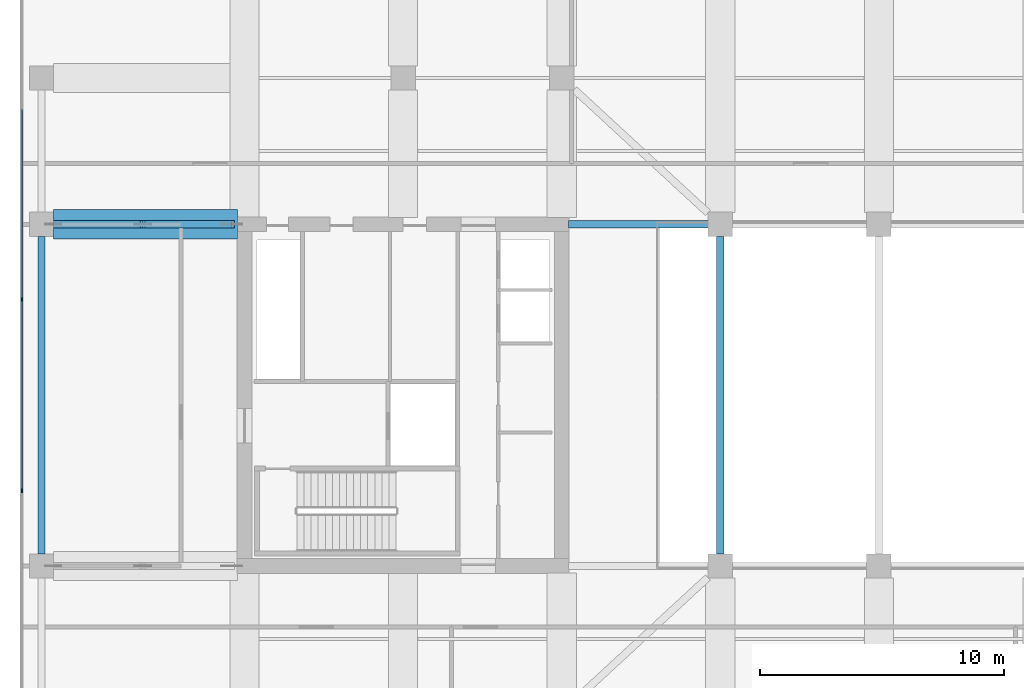
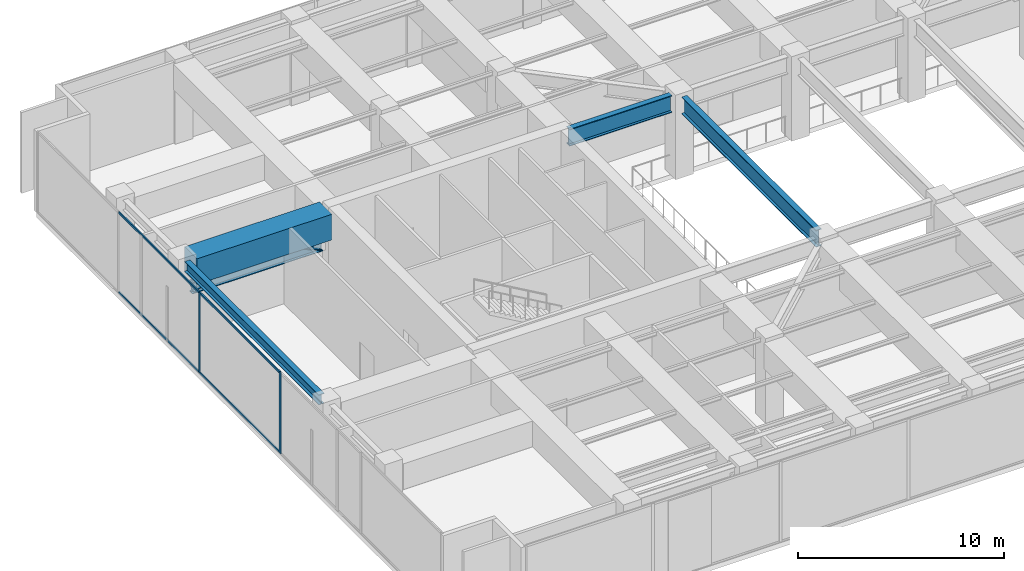
# One storey, part 4 of 28: 9 members, 4 beams, 1 element without a shape of its own.
"""IFC4 building model written with IfcOpenShell, lengths in metres."""

from ifc_helpers import new_model, si_unit, direction, frame, origin, origin_2d, place, context, subcontext, project, spatial, rectangle, i_section, extrude, material, layer, layer_set, material_profile, profile_set, type_object, element, aggregate, save


model = new_model("IFC4")

# Units and contexts
model_context = context("Model", 3, precision=1e-05, world=origin(), true_north=direction((0.0, 1.0)))
body_context = subcontext(model_context, "Body", "Model", "MODEL_VIEW")
ifc_project = project(units=[si_unit("LENGTHUNIT", "METRE"), si_unit("AREAUNIT", "SQUARE_METRE"), si_unit("VOLUMEUNIT", "CUBIC_METRE"), si_unit("PLANEANGLEUNIT", "RADIAN"), si_unit("MASSUNIT", "GRAM", prefix="KILO")], contexts=[model_context])

# Site, building, storey
site_placement = place(None, origin())
site = spatial("IfcSite", under=ifc_project, at=site_placement, CompositionType="ELEMENT")
building_placement = place(site_placement, origin())
building = spatial("IfcBuilding", under=site, at=building_placement, Name="Putna Gate Headquarters", CompositionType="ELEMENT")
storey_placement = place(building_placement, frame((0.0, 0.0, 197.39990234375)))
storey = spatial("IfcBuildingStorey", under=building, at=storey_placement, Name="L49", CompositionType="ELEMENT", Elevation=197.39990234375)

# Beams
ifc_material_1 = material(Name="Steel S355J2", Category="steel")
ifc_material_profile_1 = material_profile(ifc_material_1, i_section(OverallWidth=0.300048828125, OverallDepth=0.590087890625, WebThickness=0.012939453125, FlangeThickness=0.02490234375, at=origin_2d()), Name="Steel S355J2")
ifc_profile_set_1 = profile_set([ifc_material_profile_1], Name="Steel S355J2")
beam_type_1 = type_object("IfcBeamType", Name="BM-SPAN-Z4-HEA600", PredefinedType="SPANDREL", material=ifc_profile_set_1)
beam_1_placement = place(storey_placement, frame((4.679931640625, 19.488037109375, 4.485107421875), z_axis=(0.0, 1.0, 0.0), x_axis=(-1.0, 0.0, 0.0)))
element("IfcBeam", 1, at=beam_1_placement, inside=storey, type_object=beam_type_1, Name="L49 W End Spandrel 2", PredefinedType="SPANDREL", context=body_context, shape_type="SweptSolid", body=[
    extrude(i_section(OverallWidth=0.300048828125, OverallDepth=0.590087890625, WebThickness=0.012939453125, FlangeThickness=0.02490234375, at=origin_2d()), origin(), (0.0, 0.0, 1.0), 13.02392578125),
])
ifc_material_2 = material(Name="Steel S460M", Category="steel")
ifc_material_profile_2 = material_profile(ifc_material_2, i_section(OverallWidth=0.302001953125, OverallDepth=1.008056640625, WebThickness=0.02099609375, FlangeThickness=0.0400390625, at=origin_2d()), Name="Steel S460M")
ifc_profile_set_2 = profile_set([ifc_material_profile_2], Name="Steel S460M")
beam_type_2 = type_object("IfcBeamType", Name="BM-TG-HEM1000", PredefinedType="USERDEFINED", material=ifc_profile_set_2)
beam_2_placement = place(storey_placement, frame((26.284912109375, 33.0, 4.276123046875), z_axis=(1.0, 0.0, 0.0), x_axis=(0.0, 1.0, 0.0)))
element("IfcBeam", 2, at=beam_2_placement, inside=storey, type_object=beam_type_2, Name="L49 Atrium Edge Beam AN1", ObjectType="GIRDER", PredefinedType="USERDEFINED", context=body_context, shape_type="SweptSolid", body=[
    extrude(i_section(OverallWidth=0.302001953125, OverallDepth=1.008056640625, WebThickness=0.02099609375, FlangeThickness=0.0400390625, at=origin_2d()), origin(), (0.0, 0.0, 1.0), 5.72705078125),
])
beam_3_placement = place(storey_placement, frame((32.5, 19.488037109375, 4.276123046875), z_axis=(0.0, 1.0, 0.0), x_axis=(-1.0, 0.0, 0.0)))
element("IfcBeam", 3, at=beam_3_placement, inside=storey, type_object=beam_type_2, Name="L49 Plant Floor Central Tie Girder X32", ObjectType="GIRDER", PredefinedType="USERDEFINED", context=body_context, shape_type="SweptSolid", body=[
    extrude(i_section(OverallWidth=0.302001953125, OverallDepth=1.008056640625, WebThickness=0.02099609375, FlangeThickness=0.0400390625, at=origin_2d()), origin(), (0.0, 0.0, 1.0), 13.02392578125),
])
ifc_material_3 = material(Name="Concrete C50/60", Category="concrete")
ifc_material_profile_3 = material_profile(ifc_material_3, rectangle(XDim=1.199951171875, YDim=1.52001953125, at=origin_2d()), Name="Concrete C50/60")
ifc_profile_set_3 = profile_set([ifc_material_profile_3], Name="Concrete C50/60")
beam_type_3 = type_object("IfcBeamType", Name="BM-TG-RC1520", PredefinedType="USERDEFINED", material=ifc_profile_set_3)
beam_4_placement = place(storey_placement, frame((5.16796875, 33.0, 4.02001953125), z_axis=(1.0, 0.0, 0.0), x_axis=(0.0, 1.0, 0.0)))
element("IfcBeam", 4, at=beam_4_placement, inside=storey, type_object=beam_type_3, Name="L49 West Wing Girder Y33", ObjectType="GIRDER", PredefinedType="USERDEFINED", context=body_context, shape_type="SweptSolid", body=[
    extrude(rectangle(XDim=1.199951171875, YDim=1.52001953125, at=origin_2d()), origin(), (0.0, 0.0, 1.0), 7.547119140625),
])

# Members
ifc_material_profile_4 = material_profile(ifc_material_2, i_section(OverallWidth=0.304931640625, OverallDepth=0.66796875, WebThickness=0.02099609375, FlangeThickness=0.0400390625, at=origin_2d()), Name="Steel S460M")
ifc_profile_set_4 = profile_set([ifc_material_profile_4], Name="Steel S460M")
member_type_1 = type_object("IfcMemberType", Name="MEM-OUTRIGGER-CHORD-HEM650", PredefinedType="CHORD", material=ifc_profile_set_4)
member_1_placement = place(storey_placement, frame((5.1650390625, 33.0, 2.75), z_axis=(1.0, 0.0, 0.0), x_axis=(0.0, 1.0, 0.0)))
element("IfcMember", 5, at=member_1_placement, inside=storey, type_object=member_type_1, Name="L49 Outrigger Bottom Chord WN", PredefinedType="CHORD", context=body_context, shape_type="SweptSolid", body=[
    extrude(i_section(OverallWidth=0.304931640625, OverallDepth=0.66796875, WebThickness=0.02099609375, FlangeThickness=0.0400390625, at=origin_2d()), origin(), (0.0, 0.0, 1.0), 7.31494140625),
])
ifc_material_profile_5 = material_profile(ifc_material_2, i_section(OverallWidth=0.305908203125, OverallDepth=0.572021484375, WebThickness=0.02099609375, FlangeThickness=0.0400390625, at=origin_2d()), Name="Steel S460M")
ifc_profile_set_5 = profile_set([ifc_material_profile_5], Name="Steel S460M")
member_type_2 = type_object("IfcMemberType", Name="MEM-OUTRIGGER-DIAG-HEM550", PredefinedType="BRACE", material=ifc_profile_set_5)
for number, where, z_axis, x_axis, name in (
    (6, (5.1650390625, 33.0, 2.75), (0.9269842123, 0.0, 0.37510034677), (0.0, 1.0, 0.0), "L49 Outrigger Truss Brace WN-1"),
    (7, (8.822509765625, 33.0, 4.22998046875), (0.9269842123, 0.0, -0.37510034677), (0.0, 1.0, 0.0), "L49 Outrigger Truss Brace WN-2"),
):
    element("IfcMember", number, at=place(storey_placement, frame(where, z_axis=z_axis, x_axis=x_axis)), inside=storey, type_object=member_type_2, Name=name, PredefinedType="BRACE", context=body_context, shape_type="SweptSolid", body=[
        extrude(i_section(OverallWidth=0.305908203125, OverallDepth=0.572021484375, WebThickness=0.02099609375, FlangeThickness=0.0400390625, at=origin_2d()), origin(), (0.0, 0.0, 1.0), 3.945556640625),
    ])

# Curtain wall, members
ifc_material_4 = material(Name="Anodised bronze aluminium curtain wall", Category="aluminium")
ifc_layer = layer(ifc_material_4, 0.159912109375)
ifc_layer_set = layer_set([ifc_layer], Name="Anodised bronze aluminium curtain wall")
curtain_wall_type = type_object("IfcCurtainWallType", Name="CW-SYS-CRN", PredefinedType="USERDEFINED", material=ifc_layer_set)
curtain_wall_placement = place(storey_placement, origin())
curtain_wall = element("IfcCurtainWall", 8, at=curtain_wall_placement, inside=storey, type_object=curtain_wall_type, Name="L49 Acoustic Louvre West Enclosure", ObjectType="STICK CURTAIN WALL", PredefinedType="USERDEFINED")
ifc_material_5 = material(Name="Anodised bronze aluminium EN AW-6060", Category="aluminium")
ifc_material_profile_6 = material_profile(ifc_material_5, rectangle(XDim=0.06494140625, YDim=0.159912109375, at=origin_2d()), Name="Anodised bronze aluminium EN AW-6060")
ifc_profile_set_6 = profile_set([ifc_material_profile_6], Name="Anodised bronze aluminium EN AW-6060")
member_type_3 = type_object("IfcMemberType", Name="MULL-CWM-CR", PredefinedType="MULLION", material=ifc_profile_set_6)
member_2_placement = place(storey_placement, frame((3.8798828125, 22.080078125, 0.0), z_axis=(0.0, 0.0, 1.0), x_axis=(-1.0, 0.0, 0.0)))
member_2 = element("IfcMember", 9, at=member_2_placement, type_object=member_type_3, Name="CWS-CR mullion 3", PredefinedType="MULLION", context=body_context, shape_type="SweptSolid", body=[
    extrude(rectangle(XDim=0.06494140625, YDim=0.159912109375, at=origin_2d()), origin(), (0.0, 0.0, 1.0), 4.780029296875),
])
member_3_placement = place(storey_placement, frame((3.8798828125, 29.919921875, 0.0), z_axis=(0.0, 0.0, 1.0), x_axis=(-1.0, 0.0, 0.0)))
member_3 = element("IfcMember", 10, at=member_3_placement, type_object=member_type_3, Name="CWS-CR mullion 4", PredefinedType="MULLION", context=body_context, shape_type="SweptSolid", body=[
    extrude(rectangle(XDim=0.06494140625, YDim=0.159912109375, at=origin_2d()), origin(), (0.0, 0.0, 1.0), 4.780029296875),
])
ifc_material_profile_7 = material_profile(ifc_material_5, rectangle(XDim=0.06494140625, YDim=0.1201171875, at=origin_2d()), Name="Anodised bronze aluminium EN AW-6060")
ifc_profile_set_7 = profile_set([ifc_material_profile_7], Name="Anodised bronze aluminium EN AW-6060")
member_type_4 = type_object("IfcMemberType", Name="TRAN-CWT-CR", PredefinedType="USERDEFINED", material=ifc_profile_set_7)
member_4_placement = place(storey_placement, frame((3.8798828125, 22.112548828125, 0.03271484375), z_axis=(0.0, 1.0, 0.0), x_axis=(-1.0, 0.0, 0.0)))
member_4 = element("IfcMember", 11, at=member_4_placement, type_object=member_type_4, Name="CWS-CR transom 3.1", ObjectType="TRANSOM", PredefinedType="USERDEFINED", context=body_context, shape_type="SweptSolid", body=[
    extrude(rectangle(XDim=0.06494140625, YDim=0.1201171875, at=origin_2d()), origin(), (0.0, 0.0, 1.0), 7.77490234375),
])
member_5_placement = place(storey_placement, frame((3.8798828125, 22.112548828125, 4.74755859375), z_axis=(0.0, 1.0, 0.0), x_axis=(-1.0, 0.0, 0.0)))
member_5 = element("IfcMember", 12, at=member_5_placement, type_object=member_type_4, Name="CWS-CR transom 3.2", ObjectType="TRANSOM", PredefinedType="USERDEFINED", context=body_context, shape_type="SweptSolid", body=[
    extrude(rectangle(XDim=0.06494140625, YDim=0.1201171875, at=origin_2d()), origin(), (0.0, 0.0, 1.0), 7.77490234375),
])
member_6_placement = place(storey_placement, frame((3.8798828125, 29.952392578125, 0.03271484375), z_axis=(0.0, 1.0, 0.0), x_axis=(-1.0, 0.0, 0.0)))
member_6 = element("IfcMember", 13, at=member_6_placement, type_object=member_type_4, Name="CWS-CR transom 4.1", ObjectType="TRANSOM", PredefinedType="USERDEFINED", context=body_context, shape_type="SweptSolid", body=[
    extrude(rectangle(XDim=0.06494140625, YDim=0.1201171875, at=origin_2d()), origin(), (0.0, 0.0, 1.0), 7.775146484375),
])
member_7_placement = place(storey_placement, frame((3.8798828125, 29.952392578125, 4.74755859375), z_axis=(0.0, 1.0, 0.0), x_axis=(-1.0, 0.0, 0.0)))
member_7 = element("IfcMember", 14, at=member_7_placement, type_object=member_type_4, Name="CWS-CR transom 4.2", ObjectType="TRANSOM", PredefinedType="USERDEFINED", context=body_context, shape_type="SweptSolid", body=[
    extrude(rectangle(XDim=0.06494140625, YDim=0.1201171875, at=origin_2d()), origin(), (0.0, 0.0, 1.0), 7.775146484375),
])
aggregate(curtain_wall, [member_2, member_3, member_4, member_5, member_6, member_7])

save(model, "model.ifc")
